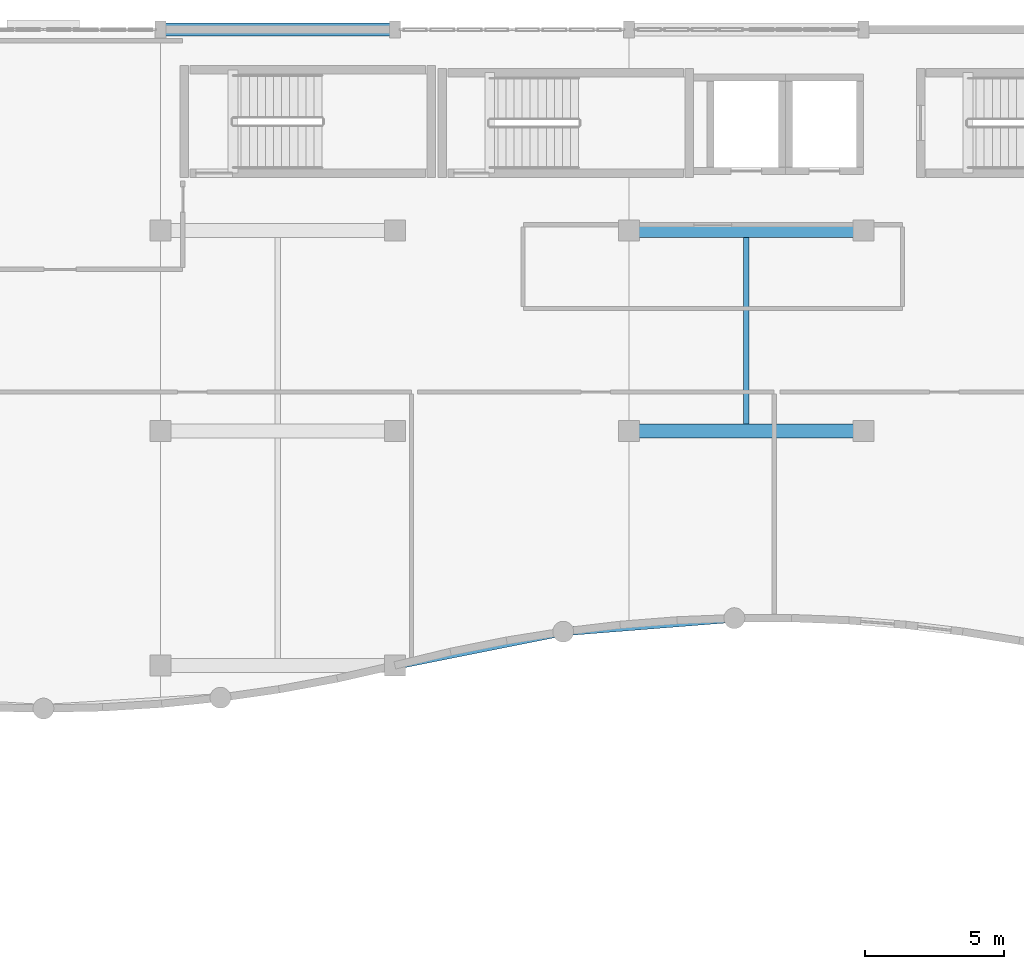
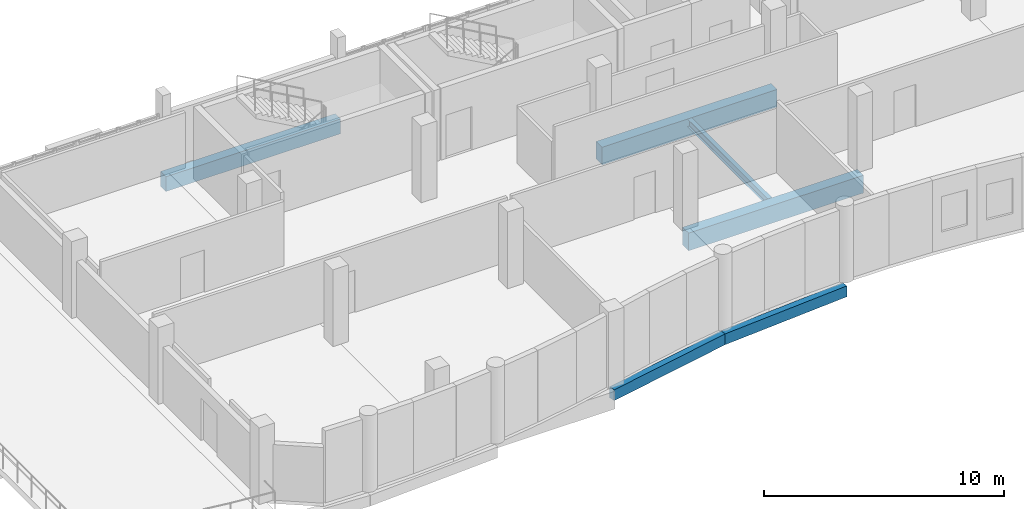
# One storey, part 112 of 188: 6 beams.
"""IFC4 building model written with IfcOpenShell, lengths in metres."""

from ifc_helpers import new_model, si_unit, direction, frame, origin, origin_2d, place, context, subcontext, project, spatial, rectangle, i_section, extrude, material, material_profile, profile_set, type_object, element, save


model = new_model("IFC4")

# Units and contexts
model_context = context("Model", 3, precision=1e-05, world=origin(), true_north=direction((0.0, 1.0)))
body_context = subcontext(model_context, "Body", "Model", "MODEL_VIEW")
ifc_project = project(units=[si_unit("LENGTHUNIT", "METRE"), si_unit("AREAUNIT", "SQUARE_METRE"), si_unit("VOLUMEUNIT", "CUBIC_METRE"), si_unit("PLANEANGLEUNIT", "RADIAN"), si_unit("MASSUNIT", "GRAM", prefix="KILO")], contexts=[model_context])

# Site, building, storey
site_placement = place(None, origin())
site = spatial("IfcSite", under=ifc_project, at=site_placement, CompositionType="ELEMENT")
building_placement = place(site_placement, origin())
building = spatial("IfcBuilding", under=site, at=building_placement, Name="Kisaragi Civic Commons", CompositionType="ELEMENT")
storey_placement = place(building_placement, frame((0.0, 0.0, 9.60009765625)))
storey = spatial("IfcBuildingStorey", under=building, at=storey_placement, Name="L02", CompositionType="ELEMENT", Elevation=9.60009765625)

# Beams
ifc_material_1 = material(Name="Concrete Fc36", Category="concrete")
ifc_material_profile_1 = material_profile(ifc_material_1, rectangle(XDim=0.5, YDim=0.89990234375, at=origin_2d()), Name="RC-500x900", Category="concrete")
ifc_profile_set_1 = profile_set([ifc_material_profile_1], Name="Concrete Fc36")
beam_type_1 = type_object("IfcBeamType", Name="G-15", PredefinedType="BEAM", material=ifc_profile_set_1)
for number, where, z_axis, x_axis, name in (
    (1, (105.60009765625, 104.39990234375, -0.77001953125), (1.0, 0.0, 0.0), (0.0, 1.0, 0.0), "L02 girder G-15 302"),
    (2, (105.60009765625, 111.60009765625, -0.77001953125), (1.0, 0.0, 0.0), (0.0, 1.0, 0.0), "L02 girder G-15 307"),
):
    element("IfcBeam", number, at=place(storey_placement, frame(where, z_axis=z_axis, x_axis=x_axis)), inside=storey, type_object=beam_type_1, Name=name, PredefinedType="BEAM", context=body_context, shape_type="SweptSolid", body=[
        extrude(rectangle(XDim=0.5, YDim=0.89990234375, at=origin_2d()), origin(), (0.0, 0.0, 1.0), 8.39990234375),
    ])
ifc_material_2 = material(Name="Steel SN400 (SN400B)", Category="steel")
ifc_material_profile_2 = material_profile(ifc_material_2, i_section(OverallWidth=0.199951171875, OverallDepth=0.39990234375, WebThickness=0.008056640625, FlangeThickness=0.012939453125, FilletRadius=0.012939453125, at=origin_2d()), Name="H-400x200x8x13", Category="steel")
ifc_profile_set_2 = profile_set([ifc_material_profile_2], Name="Steel SN400 (SN400B)")
beam_type_2 = type_object("IfcBeamType", Name="J-01", PredefinedType="JOIST", material=ifc_profile_set_2)
beam_1_placement = place(storey_placement, frame((109.800048828125, 104.64990234375, -0.52001953125), z_axis=(0.0, 1.0, 0.0), x_axis=(-1.0, 0.0, 0.0)))
element("IfcBeam", 3, at=beam_1_placement, inside=storey, type_object=beam_type_2, Name="L02 secondary steel joist J-01 63", PredefinedType="JOIST", context=body_context, shape_type="SweptSolid", body=[
    extrude(i_section(OverallWidth=0.199951171875, OverallDepth=0.39990234375, WebThickness=0.008056640625, FlangeThickness=0.012939453125, FilletRadius=0.012939453125, at=origin_2d()), origin(), (0.0, 0.0, 1.0), 6.7001953125),
])
ifc_material_3 = material(Name="Precast concrete Fc36", Category="concrete")
ifc_material_profile_3 = material_profile(ifc_material_3, rectangle(XDim=0.300048828125, YDim=0.550048828125, at=origin_2d()), Name="PC-300x550", Category="concrete")
ifc_profile_set_3 = profile_set([ifc_material_profile_3], Name="Precast concrete Fc36")
beam_type_3 = type_object("IfcBeamType", Name="LN-01", PredefinedType="LINTEL", material=ifc_profile_set_3)
beam_2_placement = place(storey_placement, frame((97.199951171875, 96.0, -0.59521484375), z_axis=(0.980574574042, 0.196146640913, 0.0), x_axis=(-0.196146640913, 0.980574574042, 0.0)))
element("IfcBeam", 4, at=beam_2_placement, inside=storey, type_object=beam_type_3, Name="L02 curved spandrel/ring girder LN-01 317", PredefinedType="LINTEL", context=body_context, shape_type="SweptSolid", body=[
    extrude(rectangle(XDim=0.300048828125, YDim=0.550048828125, at=origin_2d()), origin(), (0.0, 0.0, 1.0), 6.15625),
])
beam_3_placement = place(storey_placement, frame((103.236572265625, 97.20751953125, -0.59521484375), z_axis=(0.996883884337, 0.078882958543, 0.0), x_axis=(-0.078882958543, 0.996883884337, 0.0)))
element("IfcBeam", 5, at=beam_3_placement, inside=storey, type_object=beam_type_3, Name="L02 curved spandrel/ring girder LN-01 318", PredefinedType="LINTEL", context=body_context, shape_type="SweptSolid", body=[
    extrude(rectangle(XDim=0.300048828125, YDim=0.550048828125, at=origin_2d()), origin(), (0.0, 0.0, 1.0), 6.156005859375),
])
ifc_material_4 = material(Name="Concrete Fc30", Category="concrete")
ifc_material_profile_4 = material_profile(ifc_material_4, rectangle(XDim=0.449951171875, YDim=0.75, at=origin_2d()), Name="RC-450x750", Category="concrete")
ifc_profile_set_4 = profile_set([ifc_material_profile_4], Name="Concrete Fc30")
beam_type_4 = type_object("IfcBeamType", Name="SPB-04", PredefinedType="SPANDREL", material=ifc_profile_set_4)
beam_4_placement = place(storey_placement, frame((88.800048828125, 118.800048828125, -0.695068359375), z_axis=(1.0, 0.0, 0.0), x_axis=(0.0, 1.0, 0.0)))
element("IfcBeam", 6, at=beam_4_placement, inside=storey, type_object=beam_type_4, Name="L02 girder SPB-04 311", PredefinedType="SPANDREL", context=body_context, shape_type="SweptSolid", body=[
    extrude(rectangle(XDim=0.449951171875, YDim=0.75, at=origin_2d()), origin(), (0.0, 0.0, 1.0), 8.39990234375),
])

save(model, "model.ifc")
